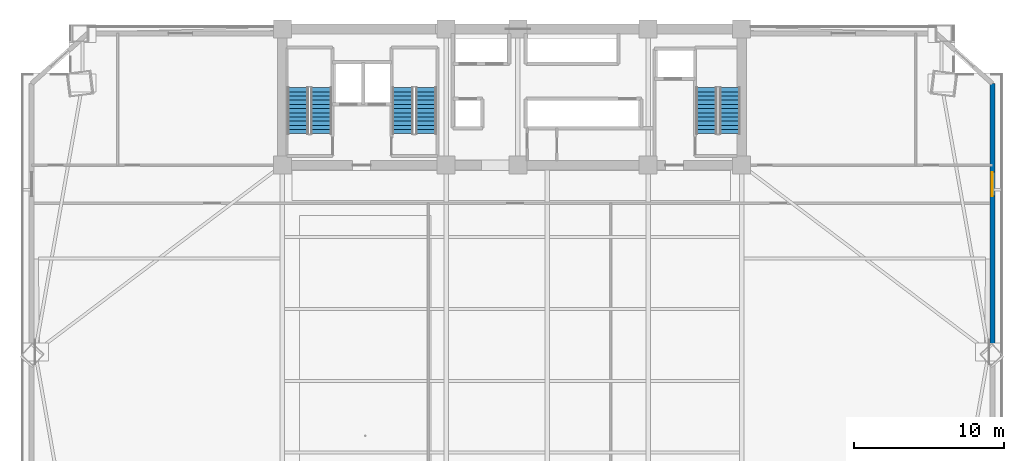
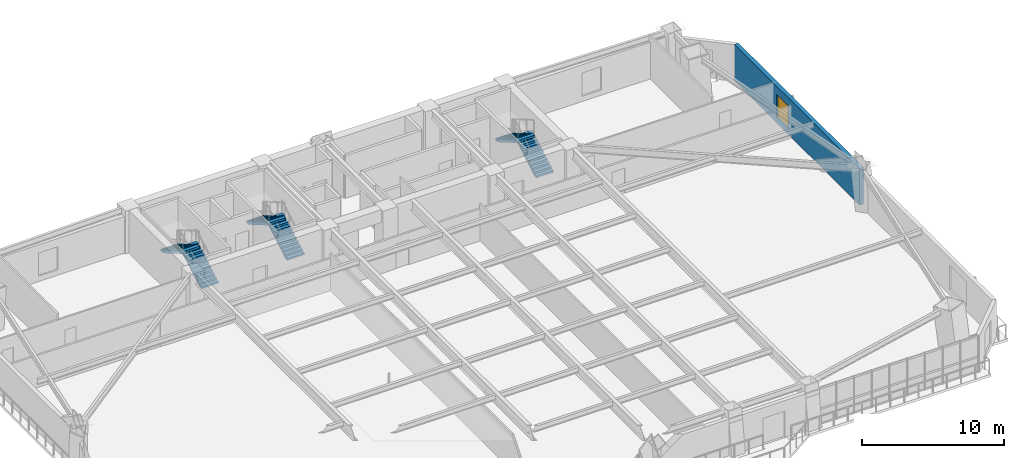
# One storey, part 11 of 17: 6 stair flights, 1 wall, 1 window, 1 opening, 3 elements without a shape of their own.
"""IFC4 building model written with IfcOpenShell, lengths in metres."""

import ifcopenshell
import ifcopenshell.guid

model = None  # the IFC model being written
_history = None  # IfcOwnerHistory: only IFC2X3 demands one
_inside = {}  # id of a spatial element -> (the spatial element, [elements in it])
_under = {}  # id of a project, library or spatial element -> (it, [spatial elements below it])
_declared = {}  # id of a project -> (the project, [libraries it declares])
_typed = {}  # id of a type object -> (the type object, [elements of that type])
_made_of = {}  # id of a material, layer set ... -> (it, [elements and type objects made of it])


def new_model(schema):
    """Start an empty IFC model of exactly this schema.

    Asked for "IFC4X3", IfcOpenShell would pick the latest addendum, in which some entities
    have other attributes; the version numbers below select the first issue.
    IFC2X3 requires an IfcOwnerHistory on every rooted entity: one is made here for all.
    """
    global model, _history
    if schema == "IFC4X3":
        model = ifcopenshell.file(schema_version=(4, 3, 0, 0))
    else:
        model = ifcopenshell.file(schema=schema)
    _inside.clear()
    _under.clear()
    _declared.clear()
    _typed.clear()
    _made_of.clear()
    _history = None
    if model.schema == "IFC2X3":
        org = make("IfcOrganization", Name="unknown")
        user = make(
            "IfcPersonAndOrganization",
            ThePerson=make("IfcPerson", FamilyName="unknown"),
            TheOrganization=org,
        )
        app = make(
            "IfcApplication",
            ApplicationDeveloper=org,
            Version="unknown",
            ApplicationFullName="unknown",
            ApplicationIdentifier="unknown",
        )
        _history = make(
            "IfcOwnerHistory",
            OwningUser=user,
            OwningApplication=app,
            ChangeAction="ADDED",
            CreationDate=0,
        )
    return model


def make(cls, **values):
    """One entity of the class cls with the attributes given. An attribute that is None is left unset."""
    return model.create_entity(
        cls, **{name: value for name, value in values.items() if value is not None}
    )


def rooted(cls, **values):
    """An entity with a GlobalId (a new one), such as an element, a storey or a relation."""
    return make(cls, GlobalId=ifcopenshell.guid.new(), OwnerHistory=_history, **values)


def si_unit(unit_type, name, prefix=None):
    """IfcSIUnit, for example si_unit("LENGTHUNIT", "METRE", prefix="MILLI")."""
    return make("IfcSIUnit", UnitType=unit_type, Prefix=prefix, Name=name)


def assignment(units):
    """IfcUnitAssignment: the units of a project."""
    return None if units is None else make("IfcUnitAssignment", Units=units)


def point(xyz):
    """IfcCartesianPoint."""
    return None if xyz is None else make("IfcCartesianPoint", Coordinates=xyz)


def direction(xyz):
    """IfcDirection."""
    return None if xyz is None else make("IfcDirection", DirectionRatios=xyz)


def frame(location, z_axis=None, x_axis=None):
    """IfcAxis2Placement3D, a coordinate frame: its origin and axes. An axis left out is left unset."""
    return make(
        "IfcAxis2Placement3D",
        Location=point(location),
        Axis=direction(z_axis),
        RefDirection=direction(x_axis),
    )


def frame_2d(location, x_axis=None):
    """IfcAxis2Placement2D, a coordinate frame in the plane: its origin and x axis."""
    return make(
        "IfcAxis2Placement2D", Location=point(location), RefDirection=direction(x_axis)
    )


def origin():
    """The frame at (0, 0, 0) with its axes left unset."""
    return frame((0.0, 0.0, 0.0))


def place(relative_to, where):
    """IfcLocalPlacement: puts the frame where relative to a parent placement (None: the world)."""
    return make(
        "IfcLocalPlacement", PlacementRelTo=relative_to, RelativePlacement=where
    )


def context(
    kind, dimensions, precision=None, world=None, true_north=None, identifier=None
):
    """IfcGeometricRepresentationContext, for example the 3D "Model" context."""
    return make(
        "IfcGeometricRepresentationContext",
        ContextIdentifier=identifier,
        ContextType=kind,
        CoordinateSpaceDimension=dimensions,
        Precision=precision,
        WorldCoordinateSystem=world,
        TrueNorth=true_north,
    )


def subcontext(parent, identifier, kind, view, scale=None):
    """IfcGeometricRepresentationSubContext, for example "Body" below "Model"."""
    return make(
        "IfcGeometricRepresentationSubContext",
        ContextIdentifier=identifier,
        ContextType=kind,
        ParentContext=parent,
        TargetScale=scale,
        TargetView=view,
    )


def project(units=None, contexts=None):
    """IfcProject with its units and contexts."""
    return rooted(
        "IfcProject",
        Name="project",
        RepresentationContexts=contexts,
        UnitsInContext=assignment(units),
    )


def spatial(cls, under=None, at=None, **own):
    """A site, building, storey or space (cls), placed at a placement, below another one or the project."""
    s = rooted(cls, ObjectPlacement=at, **own)
    if under is not None:
        _under.setdefault(under.id(), (under, []))[1].append(s)
    return s


def polyline(points):
    """IfcPolyline through the points."""
    return make("IfcPolyline", Points=[point(p) for p in points])


def profile(cls, at=None, kind="AREA", **sizes):
    """A parametric profile (cls). Its sizes go by their IFC names, for example OverallWidth=200.0."""
    return make(cls, ProfileType=kind, Position=at, **sizes)


def rectangle(**sizes):
    """IfcRectangleProfileDef."""
    return profile("IfcRectangleProfileDef", **sizes)


def outline(outer, holes=None, kind="AREA"):
    """IfcArbitraryClosedProfileDef: a profile drawn as a closed curve; with holes, ...WithVoids."""
    if holes is None:
        return make("IfcArbitraryClosedProfileDef", ProfileType=kind, OuterCurve=outer)
    return make(
        "IfcArbitraryProfileDefWithVoids",
        ProfileType=kind,
        OuterCurve=outer,
        InnerCurves=holes,
    )


def extrude(swept, where, along, depth):
    """IfcExtrudedAreaSolid: the profile swept, set in the frame where, extruded along a direction by depth."""
    return make(
        "IfcExtrudedAreaSolid",
        SweptArea=swept,
        Position=where,
        ExtrudedDirection=direction(along),
        Depth=depth,
    )


def shape(context_of_items, identifier, shape_type, items):
    """IfcShapeRepresentation: the items that make up one representation, for example the "Body"."""
    return make(
        "IfcShapeRepresentation",
        ContextOfItems=context_of_items,
        RepresentationIdentifier=identifier,
        RepresentationType=shape_type,
        Items=items,
    )


def source(mapping_origin, context_of_items, identifier, shape_type, items):
    """IfcRepresentationMap: a shape defined once, which mapped items show again and again."""
    return make(
        "IfcRepresentationMap",
        MappingOrigin=mapping_origin,
        MappedRepresentation=shape(context_of_items, identifier, shape_type, items),
    )


def transform(
    local_origin,
    x_axis=None,
    y_axis=None,
    z_axis=None,
    scale=None,
    scale2=None,
    scale3=None,
    uniform=True,
):
    """IfcCartesianTransformationOperator3D, or its non-uniform kind. x_axis, y_axis, z_axis: its Axis1, 2, 3."""
    if uniform:
        return make(
            "IfcCartesianTransformationOperator3D",
            Axis1=direction(x_axis),
            Axis2=direction(y_axis),
            LocalOrigin=point(local_origin),
            Scale=scale,
            Axis3=direction(z_axis),
        )
    return make(
        "IfcCartesianTransformationOperator3DnonUniform",
        Axis1=direction(x_axis),
        Axis2=direction(y_axis),
        LocalOrigin=point(local_origin),
        Scale=scale,
        Axis3=direction(z_axis),
        Scale2=scale2,
        Scale3=scale3,
    )


def mapped(mapping_source, mapping_target):
    """IfcMappedItem: shows the shape of a source again, moved by a transform."""
    return make(
        "IfcMappedItem", MappingSource=mapping_source, MappingTarget=mapping_target
    )


def material(Name=None, Category=None):
    """IfcMaterial."""
    return make("IfcMaterial", Name=Name, Category=Category)


def layer(
    of_material, thickness, ventilated=None, Name=None, Category=None, Priority=None
):
    """IfcMaterialLayer: one layer of a wall or slab, of a material (None: an air gap)."""
    return make(
        "IfcMaterialLayer",
        Material=of_material,
        LayerThickness=thickness,
        IsVentilated=ventilated,
        Name=Name,
        Category=Category,
        Priority=Priority,
    )


def layer_set(layers, Name=None):
    """IfcMaterialLayerSet."""
    return make("IfcMaterialLayerSet", MaterialLayers=layers, LayerSetName=Name)


def made_of(thing, what):
    """Note that an element or type object is made of a material, layer set ...; save() writes the relation."""
    if what is not None:
        _made_of.setdefault(what.id(), (what, []))[1].append(thing)
    return thing


def type_object(cls, material=None, **own):
    """A type object (cls), such as IfcWallType, which elements share."""
    return made_of(rooted(cls, **own), material)


def element(
    cls,
    number,
    at=None,
    inside=None,
    cuts=None,
    type_object=None,
    material=None,
    context=None,
    identifier="Body",
    shape_type=None,
    held_by="IfcProductDefinitionShape",
    body=None,
    shapes=None,
    **own,
):
    """One element of the class cls, such as IfcWall. Its Tag is "e" and its number.

    at: its placement. inside: the storey or other place that contains it. cuts: it is an
    opening in that element (IfcRelVoidsElement). A single representation is given by context,
    identifier, shape_type and body (its items); several are given by shapes. held_by: the class
    of the entity that holds the representations. save() writes the other relations.
    """
    e = rooted(cls, Tag="e%d" % number, ObjectPlacement=at, **own)
    if body is not None:
        shapes = [shape(context, identifier, shape_type, body)]
    if shapes is not None:
        e.Representation = make(held_by, Representations=shapes)
    if inside is not None:
        _inside.setdefault(inside.id(), (inside, []))[1].append(e)
    if cuts is not None:
        rooted(
            "IfcRelVoidsElement", RelatingBuildingElement=cuts, RelatedOpeningElement=e
        )
    if type_object is not None:
        _typed.setdefault(type_object.id(), (type_object, []))[1].append(e)
    return made_of(e, material)


def fill(opening, filler):
    """IfcRelFillsElement: the door or window that sits in an opening."""
    return rooted(
        "IfcRelFillsElement",
        RelatingOpeningElement=opening,
        RelatedBuildingElement=filler,
    )


def aggregate(whole, parts):
    """IfcRelAggregates: a whole, such as a stair, and the parts it consists of."""
    return rooted("IfcRelAggregates", RelatingObject=whole, RelatedObjects=parts)


def save(model, path):
    """Write the relations noted so far, then the file.

    IfcRelAggregates (storeys below a building ...), IfcRelContainedInSpatialStructure (elements
    in a storey), IfcRelDefinesByType, IfcRelAssociatesMaterial and IfcRelDeclares: one each for
    every whole, place, type object, material and project.
    """
    for whole, parts in _under.values():
        aggregate(whole, parts)
    for where, things in _inside.values():
        rooted(
            "IfcRelContainedInSpatialStructure",
            RelatedElements=things,
            RelatingStructure=where,
        )
    for kind, things in _typed.values():
        rooted("IfcRelDefinesByType", RelatedObjects=things, RelatingType=kind)
    for what, things in _made_of.values():
        rooted("IfcRelAssociatesMaterial", RelatedObjects=things, RelatingMaterial=what)
    for by, libraries in _declared.values():
        rooted("IfcRelDeclares", RelatingContext=by, RelatedDefinitions=libraries)
    model.write(path)


model = new_model("IFC4")

# Units and contexts
model_context = context("Model", 3, precision=1e-05, world=origin(), true_north=direction((0.0, 1.0)))
body_context = subcontext(model_context, "Body", "Model", "MODEL_VIEW")
ifc_project = project(units=[si_unit("LENGTHUNIT", "METRE"), si_unit("AREAUNIT", "SQUARE_METRE"), si_unit("VOLUMEUNIT", "CUBIC_METRE"), si_unit("PLANEANGLEUNIT", "RADIAN"), si_unit("MASSUNIT", "GRAM", prefix="KILO")], contexts=[model_context])

# Site, building, storey
site_placement = place(None, origin())
site = spatial("IfcSite", under=ifc_project, at=site_placement, CompositionType="ELEMENT")
building_placement = place(site_placement, origin())
building = spatial("IfcBuilding", under=site, at=building_placement, Name="Giltprow Tower", CompositionType="ELEMENT")
storey_placement = place(building_placement, frame((0.0, 0.0, 33.199951171875)))
storey = spatial("IfcBuildingStorey", under=building, at=storey_placement, Name="L08", CompositionType="ELEMENT", Elevation=33.199951171875)

# Wall, opening, window
ifc_material_1 = material(Name="Precast concrete C40", Category="concrete")
ifc_layer = layer(ifc_material_1, 0.320068359375, Name="Precast concrete C40")
ifc_layer_set = layer_set([ifc_layer], Name="Precast concrete C40")
wall_type = type_object("IfcWallType", Name="EW-TOW-STONE-320", PredefinedType="SOLIDWALL", material=ifc_layer_set)
wall_placement = place(storey_placement, frame((67.300048828125, 25.25, 0.0), z_axis=(0.0, 0.0, 1.0), x_axis=(0.0, 1.0, 0.0)))
wall = element("IfcWall", 1, at=wall_placement, inside=storey, type_object=wall_type, Name="L08 E Wing Masonry Wall 2", PredefinedType="SOLIDWALL", context=body_context, shape_type="SweptSolid", body=[
    extrude(rectangle(XDim=17.64990234375, YDim=0.320068359375, at=frame_2d((8.824951171875, 0.0))), origin(), (0.0, 0.0, 1.0), 3.16015625),
])
opening_placement = place(wall_placement, frame((10.1298828125, 0.0, 0.449951171875)))
opening = element("IfcOpeningElement", 2, at=opening_placement, cuts=wall, Name="Opening WN17", PredefinedType="OPENING", context=body_context, shape_type="SweptSolid", body=[
    extrude(rectangle(XDim=1.60009765625, YDim=2.0, at=frame_2d((0.800048828125, 1.0))), frame((0.0, 0.169921875, 0.0), z_axis=(0.0, -1.0, 0.0), x_axis=(1.0, 0.0, 0.0)), (0.0, 0.0, 1.0), 0.340087890625),
])
ifc_material_2 = material(Name="Insulated glass", Category="glass")
window_type = type_object("IfcWindowType", Name="WN-COR-1600x2000", PartitioningType="SINGLE_PANEL", PredefinedType="WINDOW", material=ifc_material_2)
shared_shape = source(origin(), body_context, "Body", "SweptSolid", [
    extrude(rectangle(XDim=1.60009765625, YDim=2.0, at=frame_2d((0.800048828125, 1.0))), frame((0.0, 0.030029296875, 0.0), z_axis=(0.0, -1.0, 0.0), x_axis=(1.0, 0.0, 0.0)), (0.0, 0.0, 1.0), 0.06005859375),
])
window_placement = place(opening_placement, origin())
window = element("IfcWindow", 3, at=window_placement, inside=storey, type_object=window_type, Name="L08 E Wing Window 2-1", OverallHeight=2.0, OverallWidth=1.60009765625, PartitioningType="SINGLE_PANEL", PredefinedType="WINDOW", context=body_context, shape_type="MappedRepresentation", body=[
    mapped(shared_shape, transform((0.0, 0.0, 0.0), x_axis=(1.0, 0.0, 0.0), y_axis=(0.0, 1.0, 0.0), z_axis=(0.0, 0.0, 1.0), scale=1.0)),
])
fill(opening, window)

# Stair, stair flights
ifc_material_3 = material(Name="Concrete C40", Category="concrete")
stair_type_1 = type_object("IfcStairType", Name="STR-ST-1", PredefinedType="HALF_TURN_STAIR", material=ifc_material_3)
stair_1_placement = place(storey_placement, origin())
stair_1 = element("IfcStair", 4, at=stair_1_placement, inside=storey, type_object=stair_type_1, Name="L08 Core Exit Stair ST-1", PredefinedType="HALF_TURN_STAIR")
stair_flight_type_1 = type_object("IfcStairFlightType", Name="SFL-ST-1", PredefinedType="STRAIGHT", material=ifc_material_3)
stair_flight_1_placement = place(storey_placement, frame((22.4599609375, 39.550048828125, 0.0), z_axis=(0.0, 0.0, 1.0), x_axis=(0.0, 1.0, 0.0)))
stair_flight_1 = element("IfcStairFlight", 5, at=stair_flight_1_placement, type_object=stair_flight_type_1, Name="ST-1 flight 1", NumberOfRisers=12, NumberOfTreads=11, PredefinedType="STRAIGHT", RiserHeight=0.1625, TreadLength=0.28, context=body_context, shape_type="SweptSolid", body=[
    extrude(outline(polyline([(0.0, 0.0), (0.0, 0.16259765625), (0.280029296875, 0.16259765625), (0.280029296875, 0.324951171875), (0.56005859375, 0.324951171875), (0.56005859375, 0.487548828125), (0.840087890625, 0.487548828125), (0.840087890625, 0.64990234375), (1.1201171875, 0.64990234375), (1.1201171875, 0.8125), (1.39990234375, 0.8125), (1.39990234375, 0.97509765625), (1.679931640625, 0.97509765625), (1.679931640625, 1.137451171875), (1.9599609375, 1.137451171875), (1.9599609375, 1.300048828125), (2.239990234375, 1.300048828125), (2.239990234375, 1.46240234375), (2.52001953125, 1.46240234375), (2.52001953125, 1.625), (2.800048828125, 1.625), (2.800048828125, 1.78759765625), (3.080078125, 1.78759765625), (3.080078125, 1.949951171875), (3.080078125, 1.6142578125), (0.298583984375, 0.0), (0.0, 0.0)])), frame((0.0, 0.699951171875, 0.0), z_axis=(0.0, -1.0, 0.0), x_axis=(1.0, 0.0, 0.0)), (0.0, 0.0, 1.0), 1.39990234375),
])
stair_flight_2_placement = place(storey_placement, frame((20.89990234375, 42.6298828125, 1.949951171875), z_axis=(0.0, 0.0, 1.0), x_axis=(0.0, -1.0, 0.0)))
stair_flight_2 = element("IfcStairFlight", 6, at=stair_flight_2_placement, type_object=stair_flight_type_1, Name="ST-1 flight 2", NumberOfRisers=12, NumberOfTreads=11, PredefinedType="STRAIGHT", RiserHeight=0.1625, TreadLength=0.28, context=body_context, shape_type="SweptSolid", body=[
    extrude(outline(polyline([(0.0, 0.0), (0.0, 0.16259765625), (0.280029296875, 0.16259765625), (0.280029296875, 0.324951171875), (0.56005859375, 0.324951171875), (0.56005859375, 0.487548828125), (0.840087890625, 0.487548828125), (0.840087890625, 0.64990234375), (1.1201171875, 0.64990234375), (1.1201171875, 0.8125), (1.39990234375, 0.8125), (1.39990234375, 0.97509765625), (1.679931640625, 0.97509765625), (1.679931640625, 1.137451171875), (1.9599609375, 1.137451171875), (1.9599609375, 1.300048828125), (2.239990234375, 1.300048828125), (2.239990234375, 1.46240234375), (2.52001953125, 1.46240234375), (2.52001953125, 1.625), (2.800048828125, 1.625), (2.800048828125, 1.78759765625), (3.080078125, 1.78759765625), (3.080078125, 1.949951171875), (3.080078125, 1.6142578125), (0.298583984375, 0.0), (0.0, 0.0)])), frame((0.0, 0.699951171875, 0.0), z_axis=(0.0, -1.0, 0.0), x_axis=(1.0, 0.0, 0.0)), (0.0, 0.0, 1.0), 1.39990234375),
])
aggregate(stair_1, [stair_flight_1, stair_flight_2])

stair_type_2 = type_object("IfcStairType", Name="STR-ST-2", PredefinedType="HALF_TURN_STAIR", material=ifc_material_3)
stair_2_placement = place(storey_placement, origin())
stair_2 = element("IfcStair", 7, at=stair_2_placement, inside=storey, type_object=stair_type_2, Name="L08 Core Exit Stair ST-2", PredefinedType="HALF_TURN_STAIR")
stair_flight_type_2 = type_object("IfcStairFlightType", Name="SFL-ST-2", PredefinedType="STRAIGHT", material=ifc_material_3)
stair_flight_3_placement = place(storey_placement, frame((29.4599609375, 39.550048828125, 0.0), z_axis=(0.0, 0.0, 1.0), x_axis=(0.0, 1.0, 0.0)))
stair_flight_3 = element("IfcStairFlight", 8, at=stair_flight_3_placement, type_object=stair_flight_type_2, Name="ST-2 flight 1", NumberOfRisers=12, NumberOfTreads=11, PredefinedType="STRAIGHT", RiserHeight=0.1625, TreadLength=0.28, context=body_context, shape_type="SweptSolid", body=[
    extrude(outline(polyline([(0.0, 0.0), (0.0, 0.16259765625), (0.280029296875, 0.16259765625), (0.280029296875, 0.324951171875), (0.56005859375, 0.324951171875), (0.56005859375, 0.487548828125), (0.840087890625, 0.487548828125), (0.840087890625, 0.64990234375), (1.1201171875, 0.64990234375), (1.1201171875, 0.8125), (1.39990234375, 0.8125), (1.39990234375, 0.97509765625), (1.679931640625, 0.97509765625), (1.679931640625, 1.137451171875), (1.9599609375, 1.137451171875), (1.9599609375, 1.300048828125), (2.239990234375, 1.300048828125), (2.239990234375, 1.46240234375), (2.52001953125, 1.46240234375), (2.52001953125, 1.625), (2.800048828125, 1.625), (2.800048828125, 1.78759765625), (3.080078125, 1.78759765625), (3.080078125, 1.949951171875), (3.080078125, 1.6142578125), (0.298583984375, 0.0), (0.0, 0.0)])), frame((0.0, 0.699951171875, 0.0), z_axis=(0.0, -1.0, 0.0), x_axis=(1.0, 0.0, 0.0)), (0.0, 0.0, 1.0), 1.39990234375),
])
stair_flight_4_placement = place(storey_placement, frame((27.89990234375, 42.6298828125, 1.949951171875), z_axis=(0.0, 0.0, 1.0), x_axis=(0.0, -1.0, 0.0)))
stair_flight_4 = element("IfcStairFlight", 9, at=stair_flight_4_placement, type_object=stair_flight_type_2, Name="ST-2 flight 2", NumberOfRisers=12, NumberOfTreads=11, PredefinedType="STRAIGHT", RiserHeight=0.1625, TreadLength=0.28, context=body_context, shape_type="SweptSolid", body=[
    extrude(outline(polyline([(0.0, 0.0), (0.0, 0.16259765625), (0.280029296875, 0.16259765625), (0.280029296875, 0.324951171875), (0.56005859375, 0.324951171875), (0.56005859375, 0.487548828125), (0.840087890625, 0.487548828125), (0.840087890625, 0.64990234375), (1.1201171875, 0.64990234375), (1.1201171875, 0.8125), (1.39990234375, 0.8125), (1.39990234375, 0.97509765625), (1.679931640625, 0.97509765625), (1.679931640625, 1.137451171875), (1.9599609375, 1.137451171875), (1.9599609375, 1.300048828125), (2.239990234375, 1.300048828125), (2.239990234375, 1.46240234375), (2.52001953125, 1.46240234375), (2.52001953125, 1.625), (2.800048828125, 1.625), (2.800048828125, 1.78759765625), (3.080078125, 1.78759765625), (3.080078125, 1.949951171875), (3.080078125, 1.6142578125), (0.298583984375, 0.0), (0.0, 0.0)])), frame((0.0, 0.699951171875, 0.0), z_axis=(0.0, -1.0, 0.0), x_axis=(1.0, 0.0, 0.0)), (0.0, 0.0, 1.0), 1.39990234375),
])
aggregate(stair_2, [stair_flight_3, stair_flight_4])

stair_type_3 = type_object("IfcStairType", Name="STR-ST-3", PredefinedType="HALF_TURN_STAIR", material=ifc_material_3)
stair_3_placement = place(storey_placement, origin())
stair_3 = element("IfcStair", 10, at=stair_3_placement, inside=storey, type_object=stair_type_3, Name="L08 Core Exit Stair ST-3", PredefinedType="HALF_TURN_STAIR")
stair_flight_type_3 = type_object("IfcStairFlightType", Name="SFL-ST-3", PredefinedType="STRAIGHT", material=ifc_material_3)
stair_flight_5_placement = place(storey_placement, frame((49.760009765625, 39.550048828125, 0.0), z_axis=(0.0, 0.0, 1.0), x_axis=(0.0, 1.0, 0.0)))
stair_flight_5 = element("IfcStairFlight", 11, at=stair_flight_5_placement, type_object=stair_flight_type_3, Name="ST-3 flight 1", NumberOfRisers=12, NumberOfTreads=11, PredefinedType="STRAIGHT", RiserHeight=0.1625, TreadLength=0.28, context=body_context, shape_type="SweptSolid", body=[
    extrude(outline(polyline([(0.0, 0.0), (0.0, 0.16259765625), (0.280029296875, 0.16259765625), (0.280029296875, 0.324951171875), (0.56005859375, 0.324951171875), (0.56005859375, 0.487548828125), (0.840087890625, 0.487548828125), (0.840087890625, 0.64990234375), (1.1201171875, 0.64990234375), (1.1201171875, 0.8125), (1.39990234375, 0.8125), (1.39990234375, 0.97509765625), (1.679931640625, 0.97509765625), (1.679931640625, 1.137451171875), (1.9599609375, 1.137451171875), (1.9599609375, 1.300048828125), (2.239990234375, 1.300048828125), (2.239990234375, 1.46240234375), (2.52001953125, 1.46240234375), (2.52001953125, 1.625), (2.800048828125, 1.625), (2.800048828125, 1.78759765625), (3.080078125, 1.78759765625), (3.080078125, 1.949951171875), (3.080078125, 1.6142578125), (0.298583984375, 0.0), (0.0, 0.0)])), frame((0.0, 0.699951171875, 0.0), z_axis=(0.0, -1.0, 0.0), x_axis=(1.0, 0.0, 0.0)), (0.0, 0.0, 1.0), 1.39990234375),
])
stair_flight_6_placement = place(storey_placement, frame((48.199951171875, 42.6298828125, 1.949951171875), z_axis=(0.0, 0.0, 1.0), x_axis=(0.0, -1.0, 0.0)))
stair_flight_6 = element("IfcStairFlight", 12, at=stair_flight_6_placement, type_object=stair_flight_type_3, Name="ST-3 flight 2", NumberOfRisers=12, NumberOfTreads=11, PredefinedType="STRAIGHT", RiserHeight=0.1625, TreadLength=0.28, context=body_context, shape_type="SweptSolid", body=[
    extrude(outline(polyline([(0.0, 0.0), (0.0, 0.16259765625), (0.280029296875, 0.16259765625), (0.280029296875, 0.324951171875), (0.56005859375, 0.324951171875), (0.56005859375, 0.487548828125), (0.840087890625, 0.487548828125), (0.840087890625, 0.64990234375), (1.1201171875, 0.64990234375), (1.1201171875, 0.8125), (1.39990234375, 0.8125), (1.39990234375, 0.97509765625), (1.679931640625, 0.97509765625), (1.679931640625, 1.137451171875), (1.9599609375, 1.137451171875), (1.9599609375, 1.300048828125), (2.239990234375, 1.300048828125), (2.239990234375, 1.46240234375), (2.52001953125, 1.46240234375), (2.52001953125, 1.625), (2.800048828125, 1.625), (2.800048828125, 1.78759765625), (3.080078125, 1.78759765625), (3.080078125, 1.949951171875), (3.080078125, 1.6142578125), (0.298583984375, 0.0), (0.0, 0.0)])), frame((0.0, 0.699951171875, 0.0), z_axis=(0.0, -1.0, 0.0), x_axis=(1.0, 0.0, 0.0)), (0.0, 0.0, 1.0), 1.39990234375),
])
aggregate(stair_3, [stair_flight_5, stair_flight_6])

save(model, "model.ifc")
